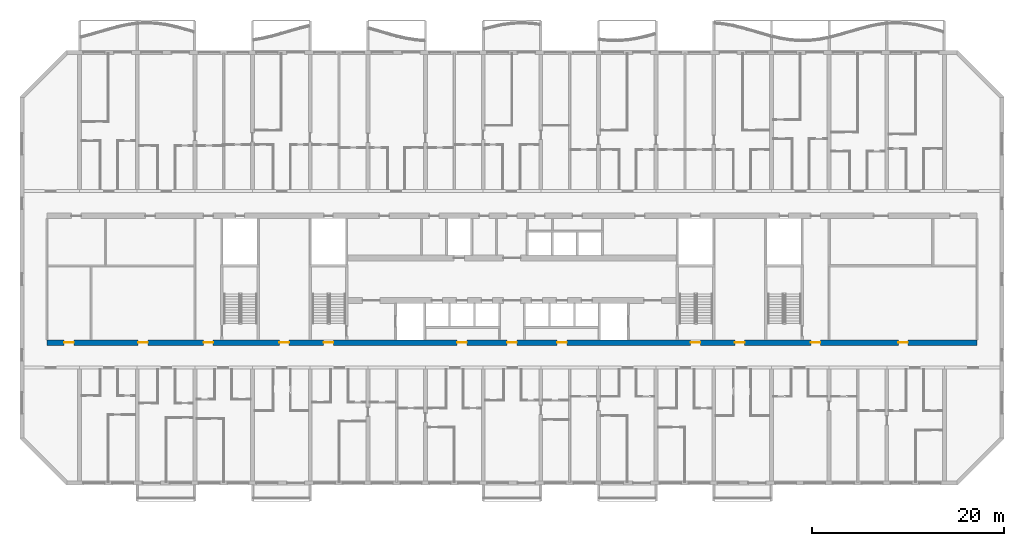
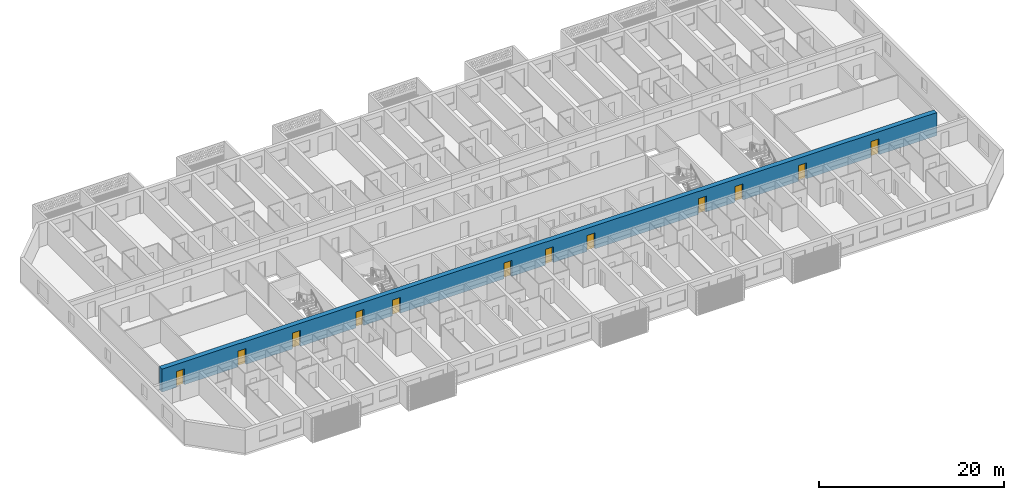
# One storey, part 7 of 40: 12 doors, 1 wall, 12 openings.
"""IFC4 building model written with IfcOpenShell, lengths in metres."""

from ifc_helpers import new_model, si_unit, direction, frame, frame_2d, origin, place, context, subcontext, project, spatial, rectangle, extrude, material, layer, layer_set, type_object, element, fill, save


model = new_model("IFC4")

# Units and contexts
model_context = context("Model", 3, precision=1e-05, world=origin(), true_north=direction((0.0, 1.0)))
body_context = subcontext(model_context, "Body", "Model", "MODEL_VIEW")
ifc_project = project(units=[si_unit("LENGTHUNIT", "METRE"), si_unit("AREAUNIT", "SQUARE_METRE"), si_unit("VOLUMEUNIT", "CUBIC_METRE"), si_unit("PLANEANGLEUNIT", "RADIAN"), si_unit("MASSUNIT", "GRAM", prefix="KILO")], contexts=[model_context])

# Site, building, storey
site_placement = place(None, origin())
site = spatial("IfcSite", under=ifc_project, at=site_placement, CompositionType="ELEMENT")
building_placement = place(site_placement, origin())
building = spatial("IfcBuilding", under=site, at=building_placement, Name="Poui Terraces", CompositionType="ELEMENT")
storey_placement = place(building_placement, frame((0.0, 0.0, 33.300048828125)))
storey = spatial("IfcBuildingStorey", under=building, at=storey_placement, Name="L08", CompositionType="ELEMENT", Elevation=33.300048828125)

# Wall, openings, doors
ifc_material_1 = material(Name="Concrete 80 MPa", Category="concrete")
ifc_layer = layer(ifc_material_1, 0.60009765625)
ifc_layer_set = layer_set([ifc_layer], Name="Concrete 80 MPa")
wall_type = type_object("IfcWallType", Name="SPINE WALL 600 80 MPA", PredefinedType="SOLIDWALL", material=ifc_layer_set)
wall_placement = place(storey_placement, frame((2.60009765625, 14.60009765625, 0.0), z_axis=(0.0, 0.0, 1.0), x_axis=(1.0, 0.0, 0.0)))
wall = element("IfcWall", 1, at=wall_placement, inside=storey, type_object=wall_type, Name="SPINE WALL", PredefinedType="SOLIDWALL", context=body_context, shape_type="SweptSolid", body=[
    extrude(rectangle(XDim=96.7998046875, YDim=0.60009765625, at=frame_2d((48.39990234375, 0.0))), origin(), (0.0, 0.0, 1.0), 3.050048828125),
])
opening_1_placement = place(wall_placement, frame((1.800048828125, 0.0, 0.0)))
opening_1 = element("IfcOpeningElement", 2, at=opening_1_placement, cuts=wall, Name="Opening FD60", PredefinedType="OPENING", context=body_context, shape_type="SweptSolid", body=[
    extrude(rectangle(XDim=1.0, YDim=2.10009765625, at=frame_2d((0.5, 1.050048828125))), frame((0.0, 0.31005859375, 0.0), z_axis=(0.0, -1.0, 0.0), x_axis=(1.0, 0.0, 0.0)), (0.0, 0.0, 1.0), 0.6201171875),
])
opening_2_placement = place(wall_placement, frame((9.5, 0.0, 0.0)))
opening_2 = element("IfcOpeningElement", 3, at=opening_2_placement, cuts=wall, Name="Opening FD60", PredefinedType="OPENING", context=body_context, shape_type="SweptSolid", body=[
    extrude(rectangle(XDim=1.0, YDim=2.10009765625, at=frame_2d((0.5, 1.050048828125))), frame((0.0, 0.31005859375, 0.0), z_axis=(0.0, -1.0, 0.0), x_axis=(1.0, 0.0, 0.0)), (0.0, 0.0, 1.0), 0.6201171875),
])
opening_3_placement = place(wall_placement, frame((16.300048828125, 0.0, 0.0)))
opening_3 = element("IfcOpeningElement", 4, at=opening_3_placement, cuts=wall, Name="Opening FDL", PredefinedType="OPENING", context=body_context, shape_type="SweptSolid", body=[
    extrude(rectangle(XDim=1.0, YDim=2.10009765625, at=frame_2d((0.5, 1.050048828125))), frame((0.0, 0.31005859375, 0.0), z_axis=(0.0, -1.0, 0.0), x_axis=(1.0, 0.0, 0.0)), (0.0, 0.0, 1.0), 0.6201171875),
])
opening_4_placement = place(wall_placement, frame((24.199951171875, 0.0, 0.0)))
opening_4 = element("IfcOpeningElement", 5, at=opening_4_placement, cuts=wall, Name="Opening D100", PredefinedType="OPENING", context=body_context, shape_type="SweptSolid", body=[
    extrude(rectangle(XDim=1.0, YDim=2.10009765625, at=frame_2d((0.5, 1.050048828125))), frame((0.0, 0.31005859375, 0.0), z_axis=(0.0, -1.0, 0.0), x_axis=(1.0, 0.0, 0.0)), (0.0, 0.0, 1.0), 0.6201171875),
])
opening_5_placement = place(wall_placement, frame((28.800048828125, 0.0, 0.0)))
opening_5 = element("IfcOpeningElement", 6, at=opening_5_placement, cuts=wall, Name="Opening FD60S", PredefinedType="OPENING", context=body_context, shape_type="SweptSolid", body=[
    extrude(rectangle(XDim=1.0, YDim=2.10009765625, at=frame_2d((0.5, 1.050048828125))), frame((0.0, 0.31005859375, 0.0), z_axis=(0.0, -1.0, 0.0), x_axis=(1.0, 0.0, 0.0)), (0.0, 0.0, 1.0), 0.6201171875),
])
opening_6_placement = place(wall_placement, frame((42.699951171875, 0.0, 0.0)))
opening_6 = element("IfcOpeningElement", 7, at=opening_6_placement, cuts=wall, Name="Opening FD60", PredefinedType="OPENING", context=body_context, shape_type="SweptSolid", body=[
    extrude(rectangle(XDim=1.0, YDim=2.10009765625, at=frame_2d((0.5, 1.050048828125))), frame((0.0, 0.31005859375, 0.0), z_axis=(0.0, -1.0, 0.0), x_axis=(1.0, 0.0, 0.0)), (0.0, 0.0, 1.0), 0.6201171875),
])
opening_7_placement = place(wall_placement, frame((47.89990234375, 0.0, 0.0)))
opening_7 = element("IfcOpeningElement", 8, at=opening_7_placement, cuts=wall, Name="Opening FDL", PredefinedType="OPENING", context=body_context, shape_type="SweptSolid", body=[
    extrude(rectangle(XDim=1.0, YDim=2.10009765625, at=frame_2d((0.5, 1.050048828125))), frame((0.0, 0.31005859375, 0.0), z_axis=(0.0, -1.0, 0.0), x_axis=(1.0, 0.0, 0.0)), (0.0, 0.0, 1.0), 0.6201171875),
])
opening_8_placement = place(wall_placement, frame((53.10009765625, 0.0, 0.0)))
opening_8 = element("IfcOpeningElement", 9, at=opening_8_placement, cuts=wall, Name="Opening FD60", PredefinedType="OPENING", context=body_context, shape_type="SweptSolid", body=[
    extrude(rectangle(XDim=1.0, YDim=2.10009765625, at=frame_2d((0.5, 1.050048828125))), frame((0.0, 0.31005859375, 0.0), z_axis=(0.0, -1.0, 0.0), x_axis=(1.0, 0.0, 0.0)), (0.0, 0.0, 1.0), 0.6201171875),
])
opening_9_placement = place(wall_placement, frame((67.0, 0.0, 0.0)))
opening_9 = element("IfcOpeningElement", 10, at=opening_9_placement, cuts=wall, Name="Opening FD60S", PredefinedType="OPENING", context=body_context, shape_type="SweptSolid", body=[
    extrude(rectangle(XDim=1.0, YDim=2.10009765625, at=frame_2d((0.5, 1.050048828125))), frame((0.0, 0.31005859375, 0.0), z_axis=(0.0, -1.0, 0.0), x_axis=(1.0, 0.0, 0.0)), (0.0, 0.0, 1.0), 0.6201171875),
])
opening_10_placement = place(wall_placement, frame((71.60009765625, 0.0, 0.0)))
opening_10 = element("IfcOpeningElement", 11, at=opening_10_placement, cuts=wall, Name="Opening D100", PredefinedType="OPENING", context=body_context, shape_type="SweptSolid", body=[
    extrude(rectangle(XDim=1.0, YDim=2.10009765625, at=frame_2d((0.5, 1.050048828125))), frame((0.0, 0.31005859375, 0.0), z_axis=(0.0, -1.0, 0.0), x_axis=(1.0, 0.0, 0.0)), (0.0, 0.0, 1.0), 0.6201171875),
])
opening_11_placement = place(wall_placement, frame((79.5, 0.0, 0.0)))
opening_11 = element("IfcOpeningElement", 12, at=opening_11_placement, cuts=wall, Name="Opening FDL", PredefinedType="OPENING", context=body_context, shape_type="SweptSolid", body=[
    extrude(rectangle(XDim=1.0, YDim=2.10009765625, at=frame_2d((0.5, 1.050048828125))), frame((0.0, 0.31005859375, 0.0), z_axis=(0.0, -1.0, 0.0), x_axis=(1.0, 0.0, 0.0)), (0.0, 0.0, 1.0), 0.6201171875),
])
opening_12_placement = place(wall_placement, frame((88.60009765625, 0.0, 0.0)))
opening_12 = element("IfcOpeningElement", 13, at=opening_12_placement, cuts=wall, Name="Opening FD60", PredefinedType="OPENING", context=body_context, shape_type="SweptSolid", body=[
    extrude(rectangle(XDim=1.0, YDim=2.10009765625, at=frame_2d((0.5, 1.050048828125))), frame((0.0, 0.31005859375, 0.0), z_axis=(0.0, -1.0, 0.0), x_axis=(1.0, 0.0, 0.0)), (0.0, 0.0, 1.0), 0.6201171875),
])
ifc_material_2 = material(Name="Solid core timber door", Category="wood")
door_type_1 = type_object("IfcDoorType", Name="ACCESSIBLE INTERNAL DOOR 1000 X 2100", OperationType="NOTDEFINED", PredefinedType="DOOR", material=ifc_material_2)
door_1_placement = place(opening_4_placement, frame((1.0, 0.0, 0.0), z_axis=(0.0, 0.0, 1.0), x_axis=(-1.0, 0.0, 0.0)))
door_1 = element("IfcDoor", 14, at=door_1_placement, inside=storey, type_object=door_type_1, Name="ACCESSIBLE INTERNAL DOOR 021", OperationType="SINGLE_SWING_LEFT", OverallHeight=2.10009765625, OverallWidth=1.0, PredefinedType="DOOR", context=body_context, shape_type="SweptSolid", body=[
    extrude(rectangle(XDim=1.0, YDim=2.10009765625, at=frame_2d((0.5, 1.050048828125))), frame((0.0, 0.02490234375, 0.0), z_axis=(0.0, -1.0, 0.0), x_axis=(1.0, 0.0, 0.0)), (0.0, 0.0, 1.0), 0.050048828125),
])
fill(opening_4, door_1)
door_2_placement = place(opening_10_placement, frame((1.0, 0.0, 0.0), z_axis=(0.0, 0.0, 1.0), x_axis=(-1.0, 0.0, 0.0)))
door_2 = element("IfcDoor", 15, at=door_2_placement, inside=storey, type_object=door_type_1, Name="ACCESSIBLE INTERNAL DOOR 027", OperationType="SINGLE_SWING_RIGHT", OverallHeight=2.10009765625, OverallWidth=1.0, PredefinedType="DOOR", context=body_context, shape_type="SweptSolid", body=[
    extrude(rectangle(XDim=1.0, YDim=2.10009765625, at=frame_2d((0.5, 1.050048828125))), frame((0.0, 0.02490234375, 0.0), z_axis=(0.0, -1.0, 0.0), x_axis=(1.0, 0.0, 0.0)), (0.0, 0.0, 1.0), 0.050048828125),
])
fill(opening_10, door_2)
ifc_material_3 = material(Name="Steel fire door", Category="steel")
door_type_2 = type_object("IfcDoorType", Name="LOBBY FIRE DOOR 1000 X 2100", OperationType="NOTDEFINED", PredefinedType="DOOR", material=ifc_material_3)
door_3_placement = place(opening_3_placement, frame((1.0, 0.0, 0.0), z_axis=(0.0, 0.0, 1.0), x_axis=(-1.0, 0.0, 0.0)))
door_3 = element("IfcDoor", 16, at=door_3_placement, inside=storey, type_object=door_type_2, Name="LOBBY FIRE DOOR 020", OperationType="SINGLE_SWING_RIGHT", OverallHeight=2.10009765625, OverallWidth=1.0, PredefinedType="DOOR", context=body_context, shape_type="SweptSolid", body=[
    extrude(rectangle(XDim=1.0, YDim=2.10009765625, at=frame_2d((0.5, 1.050048828125))), frame((0.0, 0.02490234375, 0.0), z_axis=(0.0, -1.0, 0.0), x_axis=(1.0, 0.0, 0.0)), (0.0, 0.0, 1.0), 0.050048828125),
])
fill(opening_3, door_3)
door_4_placement = place(opening_7_placement, frame((1.0, 0.0, 0.0), z_axis=(0.0, 0.0, 1.0), x_axis=(-1.0, 0.0, 0.0)))
door_4 = element("IfcDoor", 17, at=door_4_placement, inside=storey, type_object=door_type_2, Name="LOBBY FIRE DOOR 024", OperationType="SINGLE_SWING_LEFT", OverallHeight=2.10009765625, OverallWidth=1.0, PredefinedType="DOOR", context=body_context, shape_type="SweptSolid", body=[
    extrude(rectangle(XDim=1.0, YDim=2.10009765625, at=frame_2d((0.5, 1.050048828125))), frame((0.0, 0.02490234375, 0.0), z_axis=(0.0, -1.0, 0.0), x_axis=(1.0, 0.0, 0.0)), (0.0, 0.0, 1.0), 0.050048828125),
])
fill(opening_7, door_4)
door_5_placement = place(opening_11_placement, frame((1.0, 0.0, 0.0), z_axis=(0.0, 0.0, 1.0), x_axis=(-1.0, 0.0, 0.0)))
door_5 = element("IfcDoor", 18, at=door_5_placement, inside=storey, type_object=door_type_2, Name="LOBBY FIRE DOOR 028", OperationType="SINGLE_SWING_LEFT", OverallHeight=2.10009765625, OverallWidth=1.0, PredefinedType="DOOR", context=body_context, shape_type="SweptSolid", body=[
    extrude(rectangle(XDim=1.0, YDim=2.10009765625, at=frame_2d((0.5, 1.050048828125))), frame((0.0, 0.02490234375, 0.0), z_axis=(0.0, -1.0, 0.0), x_axis=(1.0, 0.0, 0.0)), (0.0, 0.0, 1.0), 0.050048828125),
])
fill(opening_11, door_5)
door_type_3 = type_object("IfcDoorType", Name="SERVICE ROOM FIRE DOOR 1000 X 2100", OperationType="NOTDEFINED", PredefinedType="DOOR", material=ifc_material_3)
door_6_placement = place(opening_1_placement, frame((1.0, 0.0, 0.0), z_axis=(0.0, 0.0, 1.0), x_axis=(-1.0, 0.0, 0.0)))
door_6 = element("IfcDoor", 19, at=door_6_placement, inside=storey, type_object=door_type_3, Name="SERVICE ROOM FIRE DOOR 018", OperationType="SINGLE_SWING_LEFT", OverallHeight=2.10009765625, OverallWidth=1.0, PredefinedType="DOOR", context=body_context, shape_type="SweptSolid", body=[
    extrude(rectangle(XDim=1.0, YDim=2.10009765625, at=frame_2d((0.5, 1.050048828125))), frame((0.0, 0.02490234375, 0.0), z_axis=(0.0, -1.0, 0.0), x_axis=(1.0, 0.0, 0.0)), (0.0, 0.0, 1.0), 0.050048828125),
])
fill(opening_1, door_6)
door_7_placement = place(opening_2_placement, frame((1.0, 0.0, 0.0), z_axis=(0.0, 0.0, 1.0), x_axis=(-1.0, 0.0, 0.0)))
door_7 = element("IfcDoor", 20, at=door_7_placement, inside=storey, type_object=door_type_3, Name="SERVICE ROOM FIRE DOOR 019", OperationType="SINGLE_SWING_RIGHT", OverallHeight=2.10009765625, OverallWidth=1.0, PredefinedType="DOOR", context=body_context, shape_type="SweptSolid", body=[
    extrude(rectangle(XDim=1.0, YDim=2.10009765625, at=frame_2d((0.5, 1.050048828125))), frame((0.0, 0.02490234375, 0.0), z_axis=(0.0, -1.0, 0.0), x_axis=(1.0, 0.0, 0.0)), (0.0, 0.0, 1.0), 0.050048828125),
])
fill(opening_2, door_7)
door_8_placement = place(opening_6_placement, frame((1.0, 0.0, 0.0), z_axis=(0.0, 0.0, 1.0), x_axis=(-1.0, 0.0, 0.0)))
door_8 = element("IfcDoor", 21, at=door_8_placement, inside=storey, type_object=door_type_3, Name="SERVICE ROOM FIRE DOOR 023", OperationType="SINGLE_SWING_LEFT", OverallHeight=2.10009765625, OverallWidth=1.0, PredefinedType="DOOR", context=body_context, shape_type="SweptSolid", body=[
    extrude(rectangle(XDim=1.0, YDim=2.10009765625, at=frame_2d((0.5, 1.050048828125))), frame((0.0, 0.02490234375, 0.0), z_axis=(0.0, -1.0, 0.0), x_axis=(1.0, 0.0, 0.0)), (0.0, 0.0, 1.0), 0.050048828125),
])
fill(opening_6, door_8)
door_9_placement = place(opening_8_placement, frame((1.0, 0.0, 0.0), z_axis=(0.0, 0.0, 1.0), x_axis=(-1.0, 0.0, 0.0)))
door_9 = element("IfcDoor", 22, at=door_9_placement, inside=storey, type_object=door_type_3, Name="SERVICE ROOM FIRE DOOR 025", OperationType="SINGLE_SWING_RIGHT", OverallHeight=2.10009765625, OverallWidth=1.0, PredefinedType="DOOR", context=body_context, shape_type="SweptSolid", body=[
    extrude(rectangle(XDim=1.0, YDim=2.10009765625, at=frame_2d((0.5, 1.050048828125))), frame((0.0, 0.02490234375, 0.0), z_axis=(0.0, -1.0, 0.0), x_axis=(1.0, 0.0, 0.0)), (0.0, 0.0, 1.0), 0.050048828125),
])
fill(opening_8, door_9)
door_10_placement = place(opening_12_placement, frame((1.0, 0.0, 0.0), z_axis=(0.0, 0.0, 1.0), x_axis=(-1.0, 0.0, 0.0)))
door_10 = element("IfcDoor", 23, at=door_10_placement, inside=storey, type_object=door_type_3, Name="SERVICE ROOM FIRE DOOR 029", OperationType="SINGLE_SWING_LEFT", OverallHeight=2.10009765625, OverallWidth=1.0, PredefinedType="DOOR", context=body_context, shape_type="SweptSolid", body=[
    extrude(rectangle(XDim=1.0, YDim=2.10009765625, at=frame_2d((0.5, 1.050048828125))), frame((0.0, 0.02490234375, 0.0), z_axis=(0.0, -1.0, 0.0), x_axis=(1.0, 0.0, 0.0)), (0.0, 0.0, 1.0), 0.050048828125),
])
fill(opening_12, door_10)
door_type_4 = type_object("IfcDoorType", Name="STAIR DOOR 1000 X 2100", OperationType="NOTDEFINED", PredefinedType="DOOR", material=ifc_material_3)
door_11_placement = place(opening_5_placement, origin())
door_11 = element("IfcDoor", 24, at=door_11_placement, inside=storey, type_object=door_type_4, Name="STAIR DOOR 022", OperationType="SINGLE_SWING_RIGHT", OverallHeight=2.10009765625, OverallWidth=1.0, PredefinedType="DOOR", context=body_context, shape_type="SweptSolid", body=[
    extrude(rectangle(XDim=1.0, YDim=2.10009765625, at=frame_2d((0.5, 1.050048828125))), frame((0.0, 0.02490234375, 0.0), z_axis=(0.0, -1.0, 0.0), x_axis=(1.0, 0.0, 0.0)), (0.0, 0.0, 1.0), 0.050048828125),
])
fill(opening_5, door_11)
door_12_placement = place(opening_9_placement, origin())
door_12 = element("IfcDoor", 25, at=door_12_placement, inside=storey, type_object=door_type_4, Name="STAIR DOOR 026", OperationType="SINGLE_SWING_RIGHT", OverallHeight=2.10009765625, OverallWidth=1.0, PredefinedType="DOOR", context=body_context, shape_type="SweptSolid", body=[
    extrude(rectangle(XDim=1.0, YDim=2.10009765625, at=frame_2d((0.5, 1.050048828125))), frame((0.0, 0.02490234375, 0.0), z_axis=(0.0, -1.0, 0.0), x_axis=(1.0, 0.0, 0.0)), (0.0, 0.0, 1.0), 0.050048828125),
])
fill(opening_9, door_12)

save(model, "model.ifc")
